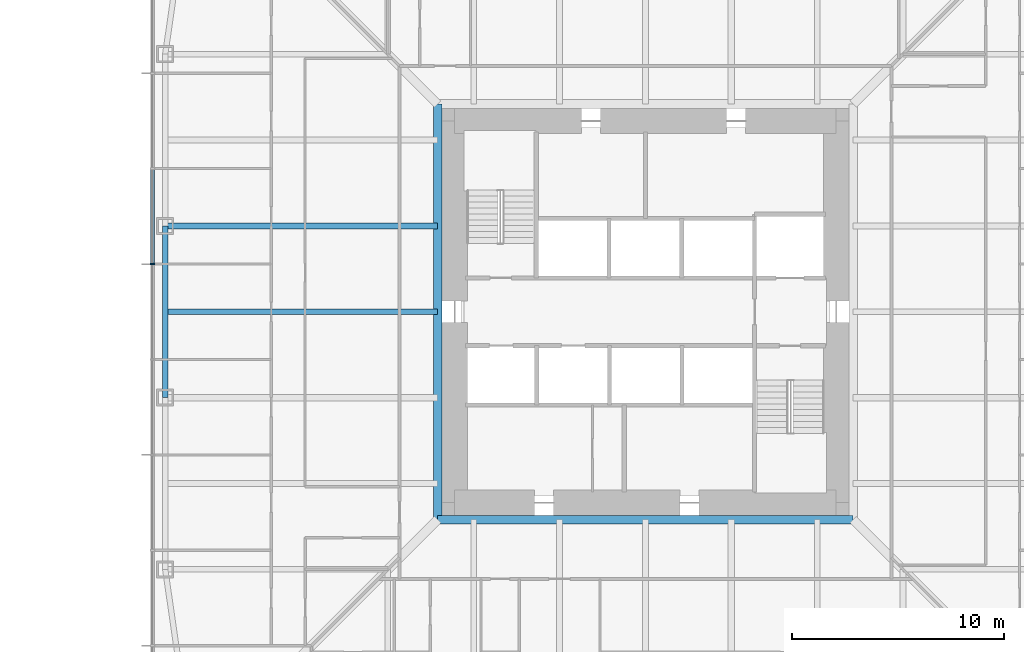
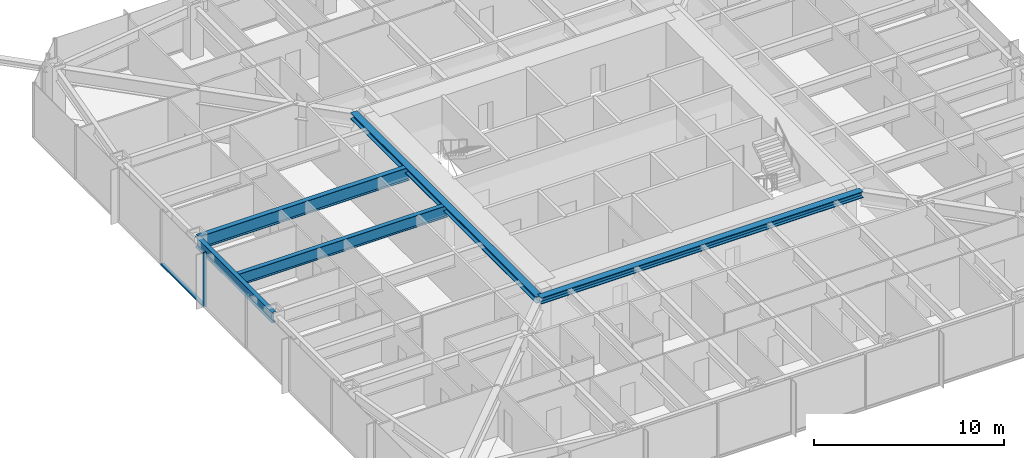
# One storey, part 4 of 26: 5 beams, 2 members, 1 element without a shape of its own.
"""IFC4 building model written with IfcOpenShell, lengths in metres."""

from ifc_helpers import new_model, si_unit, direction, frame, origin, origin_2d, place, context, subcontext, project, spatial, rectangle, i_section, extrude, material, material_profile, profile_set, type_object, element, aggregate, save


model = new_model("IFC4")

# Units and contexts
model_context = context("Model", 3, precision=1e-05, world=origin(), true_north=direction((0.0, 1.0)))
body_context = subcontext(model_context, "Body", "Model", "MODEL_VIEW")
ifc_project = project(units=[si_unit("LENGTHUNIT", "METRE"), si_unit("AREAUNIT", "SQUARE_METRE"), si_unit("VOLUMEUNIT", "CUBIC_METRE"), si_unit("PLANEANGLEUNIT", "RADIAN"), si_unit("MASSUNIT", "GRAM", prefix="KILO")], contexts=[model_context])

# Site, building, storey
site_placement = place(None, origin())
site = spatial("IfcSite", under=ifc_project, at=site_placement, CompositionType="ELEMENT")
building_placement = place(site_placement, origin())
building = spatial("IfcBuilding", under=site, at=building_placement, Name="Iwan Alto Co-Living Towers", CompositionType="ELEMENT")
storey_placement = place(building_placement, frame((0.0, 0.0, 18.5)))
storey = spatial("IfcBuildingStorey", under=building, at=storey_placement, Name="L04", CompositionType="ELEMENT", Elevation=18.5)

# Curtain wall, members
ifc_material_1 = material(Name="Bronze aluminium unitised frame", Category="aluminium")
curtain_wall_type = type_object("IfcCurtainWallType", Name="CURTAIN WALL CW-A", PredefinedType="NOTDEFINED", material=ifc_material_1)
curtain_wall_placement = place(storey_placement, origin())
curtain_wall = element("IfcCurtainWall", 1, at=curtain_wall_placement, inside=storey, type_object=curtain_wall_type, Name="T1 curtain wall W L04", PredefinedType="NOTDEFINED")
ifc_material_2 = material(Name="Aluminium 6063-T6 bronze anodised", Category="aluminium")
ifc_material_profile_1 = material_profile(ifc_material_2, rectangle(XDim=0.199951171875, YDim=0.080078125, at=origin_2d()), Name="AL 80X200")
ifc_profile_set_1 = profile_set([ifc_material_profile_1], Name="Aluminium 6063-T6 bronze anodised")
member_type_1 = type_object("IfcMemberType", Name="CW-A MULLION 80X200", PredefinedType="MULLION", material=ifc_profile_set_1)
member_1_placement = place(storey_placement, frame((-23.25, 2.25, 0.0), z_axis=(0.0, 0.0, 1.0), x_axis=(1.0, 0.0, 0.0)))
member_1 = element("IfcMember", 2, at=member_1_placement, type_object=member_type_1, Name="CW-A mullion 5", PredefinedType="MULLION", context=body_context, shape_type="SweptSolid", body=[
    extrude(rectangle(XDim=0.199951171875, YDim=0.080078125, at=origin_2d()), origin(), (0.0, 0.0, 1.0), 3.5),
])
ifc_material_3 = material(Name="Aluminium 6063-T6 bronze anodised", Category="aluminium")
ifc_material_profile_2 = material_profile(ifc_material_3, rectangle(XDim=0.199951171875, YDim=0.10009765625, at=origin_2d()), Name="AL 200X100")
ifc_profile_set_2 = profile_set([ifc_material_profile_2], Name="Aluminium 6063-T6 bronze anodised")
member_type_2 = type_object("IfcMemberType", Name="CW-A TRANSOM 200X100", PredefinedType="USERDEFINED", material=ifc_profile_set_2)
member_2_placement = place(storey_placement, frame((-23.25, 6.7099609375, 0.050048828125), z_axis=(0.0, -1.0, 0.0), x_axis=(1.0, 0.0, 0.0)))
member_2 = element("IfcMember", 3, at=member_2_placement, type_object=member_type_2, Name="CW-A transom 4.1", ObjectType="TRANSOM", PredefinedType="USERDEFINED", context=body_context, shape_type="SweptSolid", body=[
    extrude(rectangle(XDim=0.199951171875, YDim=0.10009765625, at=origin_2d()), origin(), (0.0, 0.0, 1.0), 4.419921875),
])
aggregate(curtain_wall, [member_1, member_2])

# Beams
ifc_material_4 = material(Name="Steel ASTM A992 Gr 50", Category="steel")
ifc_material_profile_3 = material_profile(ifc_material_4, i_section(OverallWidth=0.40380859375, OverallDepth=0.406494140625, WebThickness=0.027099609375, FlangeThickness=0.043701171875, at=origin_2d()), Name="W14X233")
ifc_profile_set_3 = profile_set([ifc_material_profile_3], Name="Steel ASTM A992 Gr 50")
beam_type_1 = type_object("IfcBeamType", Name="T1 CORE LEDGER BEAM W14X233", PredefinedType="BEAM", material=ifc_profile_set_3)
for number, where, z_axis, x_axis, name in (
    (4, (-9.802001953125, -9.802001953125, 3.06689453125), (1.0, 0.0, 0.0), (0.0, 1.0, 0.0), "T1 core ledger beam S L05"),
    (5, (-9.802001953125, 9.802001953125, 3.06689453125), (0.0, -1.0, 0.0), (1.0, 0.0, 0.0), "T1 core ledger beam W L05"),
):
    element("IfcBeam", number, at=place(storey_placement, frame(where, z_axis=z_axis, x_axis=x_axis)), inside=storey, type_object=beam_type_1, Name=name, PredefinedType="BEAM", context=body_context, shape_type="SweptSolid", body=[
        extrude(i_section(OverallWidth=0.40380859375, OverallDepth=0.406494140625, WebThickness=0.027099609375, FlangeThickness=0.043701171875, at=origin_2d()), origin(), (0.0, 0.0, 1.0), 19.60400390625),
    ])
ifc_material_5 = material(Name="Steel ASTM A992 Gr 50", Category="steel")
ifc_material_profile_4 = material_profile(ifc_material_5, i_section(OverallWidth=0.25390625, OverallDepth=0.683349609375, WebThickness=0.012451171875, FlangeThickness=0.018798828125, at=origin_2d()), Name="W27X94")
ifc_profile_set_4 = profile_set([ifc_material_profile_4], Name="Steel ASTM A992 Gr 50")
beam_type_2 = type_object("IfcBeamType", Name="T1 EDGE BEAM W27X94", PredefinedType="BEAM", material=ifc_profile_set_4)
beam_1_placement = place(storey_placement, frame((-22.64990234375, 4.050048828125, 2.928466796875), z_axis=(0.0, -1.0, 0.0), x_axis=(1.0, 0.0, 0.0)))
element("IfcBeam", 6, at=beam_1_placement, inside=storey, type_object=beam_type_2, Name="T1 edge beam W2 L05", PredefinedType="BEAM", context=body_context, shape_type="SweptSolid", body=[
    extrude(i_section(OverallWidth=0.25390625, OverallDepth=0.683349609375, WebThickness=0.012451171875, FlangeThickness=0.018798828125, at=origin_2d()), origin(), (0.0, 0.0, 1.0), 8.10009765625),
])
ifc_material_6 = material(Name="Steel ASTM A992 Gr 50", Category="steel")
ifc_material_profile_5 = material_profile(ifc_material_6, i_section(OverallWidth=0.2919921875, OverallDepth=0.8408203125, WebThickness=0.0146484375, FlangeThickness=0.021728515625, at=origin_2d()), Name="W33X130")
ifc_profile_set_5 = profile_set([ifc_material_profile_5], Name="Steel ASTM A992 Gr 50")
beam_type_3 = type_object("IfcBeamType", Name="T1 RADIAL BEAM W33X130", PredefinedType="BEAM", material=ifc_profile_set_5)
beam_2_placement = place(storey_placement, frame((-22.64990234375, 4.050048828125, 2.849609375), z_axis=(1.0, 0.0, 0.0), x_axis=(0.0, 1.0, 0.0)))
element("IfcBeam", 7, at=beam_2_placement, inside=storey, type_object=beam_type_3, Name="T1 radial beam W2 L05", PredefinedType="BEAM", context=body_context, shape_type="SweptSolid", body=[
    extrude(i_section(OverallWidth=0.2919921875, OverallDepth=0.8408203125, WebThickness=0.0146484375, FlangeThickness=0.021728515625, at=origin_2d()), origin(), (0.0, 0.0, 1.0), 12.847900390625),
])
ifc_material_7 = material(Name="Steel ASTM A992 Gr 50", Category="steel")
ifc_material_profile_6 = material_profile(ifc_material_7, i_section(OverallWidth=0.2666015625, OverallDepth=0.761962890625, WebThickness=0.014404296875, FlangeThickness=0.021484375, at=origin_2d()), Name="W30X116")
ifc_profile_set_6 = profile_set([ifc_material_profile_6], Name="Steel ASTM A992 Gr 50")
beam_type_4 = type_object("IfcBeamType", Name="T1 SECONDARY BEAM W30X116", PredefinedType="JOIST", material=ifc_profile_set_6)
beam_3_placement = place(storey_placement, frame((-22.64990234375, 0.0, 2.888916015625), z_axis=(1.0, 0.0, 0.0), x_axis=(0.0, 1.0, 0.0)))
element("IfcBeam", 8, at=beam_3_placement, inside=storey, type_object=beam_type_4, Name="T1 secondary beam W2 L05", PredefinedType="JOIST", context=body_context, shape_type="SweptSolid", body=[
    extrude(i_section(OverallWidth=0.2666015625, OverallDepth=0.761962890625, WebThickness=0.014404296875, FlangeThickness=0.021484375, at=origin_2d()), origin(), (0.0, 0.0, 1.0), 12.847900390625),
])

save(model, "model.ifc")
